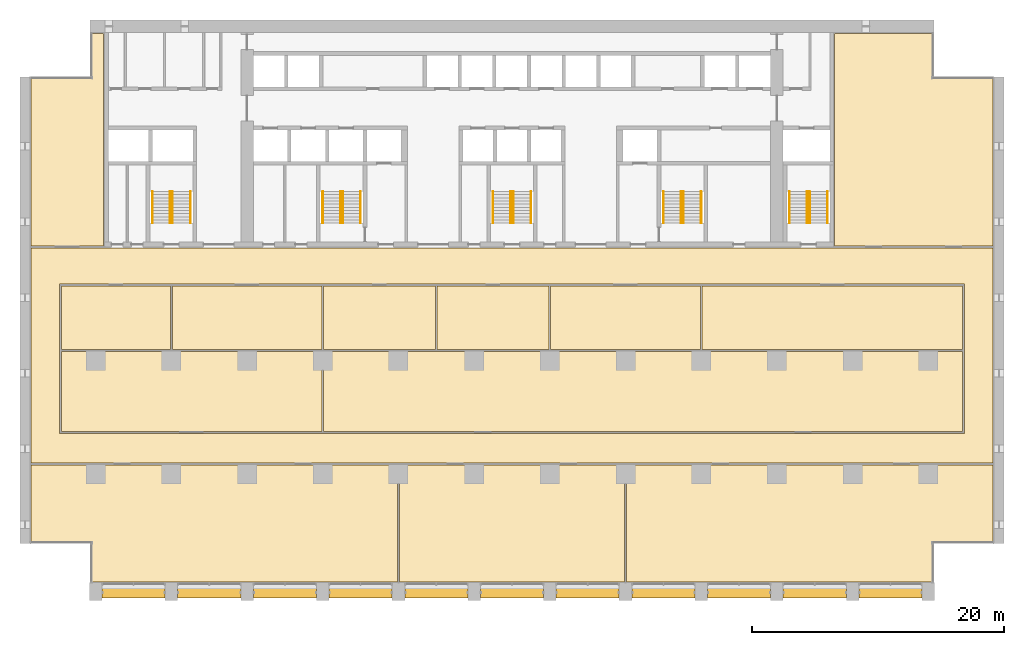
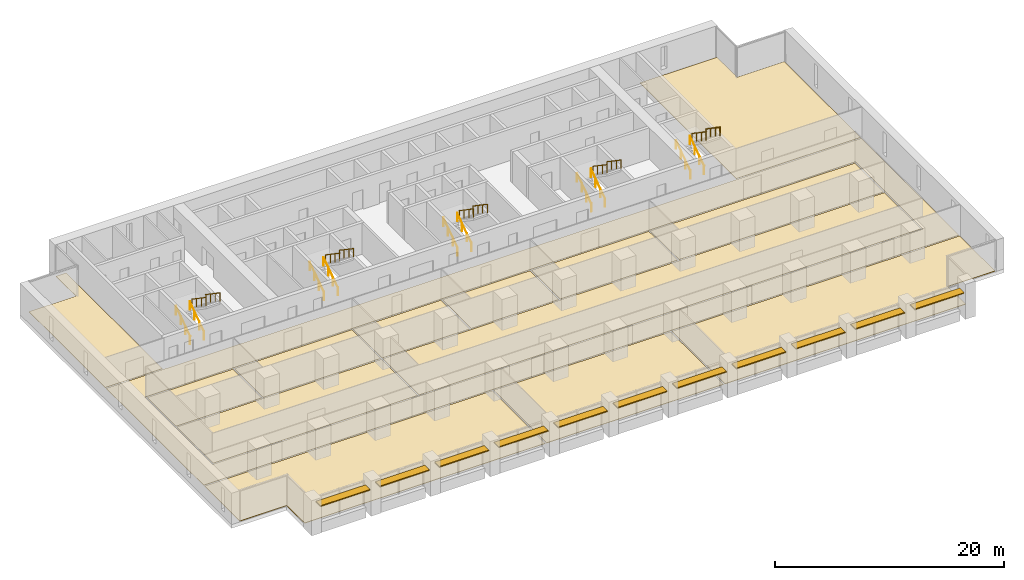
# One storey, part 17 of 17: 20 railings, 14 coverings, 11 shading devices, 5 elements without a shape of their own.
"""IFC4 building model written with IfcOpenShell, lengths in metres."""

from ifc_helpers import new_model, si_unit, direction, frame, origin, origin_2d, place, context, subcontext, project, spatial, polyline, rectangle, circle, outline, extrude, material, layer, layer_set, material_profile, profile_set, type_object, element, aggregate, save


model = new_model("IFC4")

# Units and contexts
model_context = context("Model", 3, precision=1e-05, world=origin(), true_north=direction((0.0, 1.0)))
body_context = subcontext(model_context, "Body", "Model", "MODEL_VIEW")
ifc_project = project(units=[si_unit("LENGTHUNIT", "METRE"), si_unit("AREAUNIT", "SQUARE_METRE"), si_unit("VOLUMEUNIT", "CUBIC_METRE"), si_unit("PLANEANGLEUNIT", "RADIAN"), si_unit("MASSUNIT", "GRAM", prefix="KILO")], contexts=[model_context])

# Site, building, storey
site_placement = place(None, origin())
site = spatial("IfcSite", under=ifc_project, at=site_placement, CompositionType="ELEMENT")
building_placement = place(site_placement, origin())
building = spatial("IfcBuilding", under=site, at=building_placement, Name="Calvaro Tower", CompositionType="ELEMENT")
storey_placement = place(building_placement, frame((0.0, 0.0, 71.25)))
storey = spatial("IfcBuildingStorey", under=building, at=storey_placement, Name="L17", CompositionType="ELEMENT", Elevation=71.25)

# Shading devices
ifc_material_1 = material(Name="Anodised aluminium", Category="aluminium")
ifc_material_profile = material_profile(ifc_material_1, rectangle(XDim=0.800048828125, YDim=0.10009765625, at=origin_2d()), Name="Brise-soleil blade 800 x 100")
ifc_profile_set = profile_set([ifc_material_profile], Name="Anodised aluminium")
shading_device_type = type_object("IfcShadingDeviceType", Name="Brise-soleil blade 800 x 100", PredefinedType="JALOUSIE", material=ifc_profile_set)
for number, where, z_axis, x_axis, name in (
    (1, (6.5, 0.60009765625, 2.300048828125), (1.0, 0.0, 0.0), (0.0, 1.0, 0.0), "Brise-soleil blade 1"),
    (2, (12.5, 0.60009765625, 2.300048828125), (1.0, 0.0, 0.0), (0.0, 1.0, 0.0), "Brise-soleil blade 2"),
    (3, (18.5, 0.60009765625, 2.300048828125), (1.0, 0.0, 0.0), (0.0, 1.0, 0.0), "Brise-soleil blade 3"),
    (4, (24.5, 0.60009765625, 2.300048828125), (1.0, 0.0, 0.0), (0.0, 1.0, 0.0), "Brise-soleil blade 4"),
    (5, (30.5, 0.60009765625, 2.300048828125), (1.0, 0.0, 0.0), (0.0, 1.0, 0.0), "Brise-soleil blade 5"),
    (6, (36.5, 0.60009765625, 2.300048828125), (1.0, 0.0, 0.0), (0.0, 1.0, 0.0), "Brise-soleil blade 6"),
    (7, (42.5, 0.60009765625, 2.300048828125), (1.0, 0.0, 0.0), (0.0, 1.0, 0.0), "Brise-soleil blade 7"),
    (8, (48.5, 0.60009765625, 2.300048828125), (1.0, 0.0, 0.0), (0.0, 1.0, 0.0), "Brise-soleil blade 8"),
    (9, (54.5, 0.60009765625, 2.300048828125), (1.0, 0.0, 0.0), (0.0, 1.0, 0.0), "Brise-soleil blade 9"),
    (10, (60.5, 0.60009765625, 2.300048828125), (1.0, 0.0, 0.0), (0.0, 1.0, 0.0), "Brise-soleil blade 10"),
    (11, (66.5, 0.60009765625, 2.300048828125), (1.0, 0.0, 0.0), (0.0, 1.0, 0.0), "Brise-soleil blade 11"),
):
    element("IfcShadingDevice", number, at=place(storey_placement, frame(where, z_axis=z_axis, x_axis=x_axis)), inside=storey, type_object=shading_device_type, Name=name, PredefinedType="JALOUSIE", context=body_context, shape_type="SweptSolid", body=[
        extrude(rectangle(XDim=0.800048828125, YDim=0.10009765625, at=origin_2d()), origin(), (0.0, 0.0, 1.0), 5.0),
    ])

# Coverings
ifc_material_2 = material(Name="Cement screed with carpet tile finish")
ifc_layer = layer(ifc_material_2, 0.050048828125)
ifc_layer_set = layer_set([ifc_layer], Name="Cement screed with carpet tile finish")
covering_type = type_object("IfcCoveringType", Name="Floor finish 50", PredefinedType="FLOORING", material=ifc_layer_set)
covering_1_placement = place(storey_placement, origin())
element("IfcCovering", 12, at=covering_1_placement, inside=storey, type_object=covering_type, Name="Floor finish 13.01", PredefinedType="FLOORING", context=body_context, shape_type="SweptSolid", body=[
    extrude(outline(polyline([(0.8701171875, 10.8701171875), (0.8701171875, 27.929931640625), (77.1298828125, 27.929931640625), (77.1298828125, 10.8701171875), (0.8701171875, 10.8701171875)]), holes=[polyline([(74.8701171875, 13.22998046875), (74.8701171875, 25.070068359375), (3.1298828125, 25.070068359375), (3.1298828125, 13.22998046875), (74.8701171875, 13.22998046875)])]), origin(), (0.0, 0.0, 1.0), 0.050048828125),
])
covering_2_placement = place(storey_placement, origin())
element("IfcCovering", 13, at=covering_2_placement, inside=storey, type_object=covering_type, Name="Floor finish 13.03", PredefinedType="FLOORING", context=body_context, shape_type="SweptSolid", body=[
    extrude(outline(polyline([(29.929931640625, 10.72998046875), (29.929931640625, 1.469970703125), (5.6201171875, 1.469970703125), (5.6201171875, 4.570068359375), (0.8701171875, 4.570068359375), (0.8701171875, 10.72998046875), (29.929931640625, 10.72998046875)])), origin(), (0.0, 0.0, 1.0), 0.050048828125),
])
covering_3_placement = place(storey_placement, origin())
element("IfcCovering", 14, at=covering_3_placement, inside=storey, type_object=covering_type, Name="Floor finish 13.02", PredefinedType="FLOORING", context=body_context, shape_type="SweptSolid", body=[
    extrude(outline(polyline([(30.070068359375, 10.72998046875), (47.929931640625, 10.72998046875), (47.929931640625, 1.469970703125), (30.070068359375, 1.469970703125), (30.070068359375, 10.72998046875)])), origin(), (0.0, 0.0, 1.0), 0.050048828125),
])
covering_4_placement = place(storey_placement, origin())
element("IfcCovering", 15, at=covering_4_placement, inside=storey, type_object=covering_type, Name="Floor finish 13.04", PredefinedType="FLOORING", context=body_context, shape_type="SweptSolid", body=[
    extrude(outline(polyline([(77.1298828125, 4.570068359375), (72.3798828125, 4.570068359375), (72.3798828125, 1.469970703125), (48.070068359375, 1.469970703125), (48.070068359375, 10.72998046875), (77.1298828125, 10.72998046875), (77.1298828125, 4.570068359375)])), origin(), (0.0, 0.0, 1.0), 0.050048828125),
])
covering_5_placement = place(storey_placement, origin())
element("IfcCovering", 16, at=covering_5_placement, inside=storey, type_object=covering_type, Name="Floor finish 13.05", PredefinedType="FLOORING", context=body_context, shape_type="SweptSolid", body=[
    extrude(outline(polyline([(3.27001953125, 13.3701171875), (3.27001953125, 19.72998046875), (23.929931640625, 19.72998046875), (23.929931640625, 13.3701171875), (3.27001953125, 13.3701171875)])), origin(), (0.0, 0.0, 1.0), 0.050048828125),
])
covering_6_placement = place(storey_placement, origin())
element("IfcCovering", 17, at=covering_6_placement, inside=storey, type_object=covering_type, Name="Floor finish 13.06", PredefinedType="FLOORING", context=body_context, shape_type="SweptSolid", body=[
    extrude(outline(polyline([(24.070068359375, 13.3701171875), (24.070068359375, 19.72998046875), (74.72998046875, 19.72998046875), (74.72998046875, 13.3701171875), (24.070068359375, 13.3701171875)])), origin(), (0.0, 0.0, 1.0), 0.050048828125),
])
covering_7_placement = place(storey_placement, origin())
element("IfcCovering", 18, at=covering_7_placement, inside=storey, type_object=covering_type, Name="Floor finish 13.07", PredefinedType="FLOORING", context=body_context, shape_type="SweptSolid", body=[
    extrude(outline(polyline([(3.27001953125, 19.8701171875), (3.27001953125, 24.929931640625), (11.929931640625, 24.929931640625), (11.929931640625, 19.8701171875), (3.27001953125, 19.8701171875)])), origin(), (0.0, 0.0, 1.0), 0.050048828125),
])
covering_8_placement = place(storey_placement, origin())
element("IfcCovering", 19, at=covering_8_placement, inside=storey, type_object=covering_type, Name="Floor finish 13.08", PredefinedType="FLOORING", context=body_context, shape_type="SweptSolid", body=[
    extrude(outline(polyline([(12.070068359375, 19.8701171875), (12.070068359375, 24.929931640625), (23.929931640625, 24.929931640625), (23.929931640625, 19.8701171875), (12.070068359375, 19.8701171875)])), origin(), (0.0, 0.0, 1.0), 0.050048828125),
])
covering_9_placement = place(storey_placement, origin())
element("IfcCovering", 20, at=covering_9_placement, inside=storey, type_object=covering_type, Name="Floor finish 13.09", PredefinedType="FLOORING", context=body_context, shape_type="SweptSolid", body=[
    extrude(outline(polyline([(24.070068359375, 19.8701171875), (24.070068359375, 24.929931640625), (32.929931640625, 24.929931640625), (32.929931640625, 19.8701171875), (24.070068359375, 19.8701171875)])), origin(), (0.0, 0.0, 1.0), 0.050048828125),
])
covering_10_placement = place(storey_placement, origin())
element("IfcCovering", 21, at=covering_10_placement, inside=storey, type_object=covering_type, Name="Floor finish 13.10", PredefinedType="FLOORING", context=body_context, shape_type="SweptSolid", body=[
    extrude(outline(polyline([(33.070068359375, 19.8701171875), (33.070068359375, 24.929931640625), (41.929931640625, 24.929931640625), (41.929931640625, 19.8701171875), (33.070068359375, 19.8701171875)])), origin(), (0.0, 0.0, 1.0), 0.050048828125),
])
covering_11_placement = place(storey_placement, origin())
element("IfcCovering", 22, at=covering_11_placement, inside=storey, type_object=covering_type, Name="Floor finish 13.11", PredefinedType="FLOORING", context=body_context, shape_type="SweptSolid", body=[
    extrude(outline(polyline([(42.070068359375, 19.8701171875), (42.070068359375, 24.929931640625), (53.929931640625, 24.929931640625), (53.929931640625, 19.8701171875), (42.070068359375, 19.8701171875)])), origin(), (0.0, 0.0, 1.0), 0.050048828125),
])
covering_12_placement = place(storey_placement, origin())
element("IfcCovering", 23, at=covering_12_placement, inside=storey, type_object=covering_type, Name="Floor finish 13.12", PredefinedType="FLOORING", context=body_context, shape_type="SweptSolid", body=[
    extrude(outline(polyline([(54.070068359375, 19.8701171875), (54.070068359375, 24.929931640625), (74.72998046875, 24.929931640625), (74.72998046875, 19.8701171875), (54.070068359375, 19.8701171875)])), origin(), (0.0, 0.0, 1.0), 0.050048828125),
])
covering_13_placement = place(storey_placement, origin())
element("IfcCovering", 24, at=covering_13_placement, inside=storey, type_object=covering_type, Name="Floor finish 13.13", PredefinedType="FLOORING", context=body_context, shape_type="SweptSolid", body=[
    extrude(outline(polyline([(6.6298828125, 28.070068359375), (0.8701171875, 28.070068359375), (0.8701171875, 41.429931640625), (5.6201171875, 41.429931640625), (5.6201171875, 44.929931640625), (6.6298828125, 44.929931640625), (6.6298828125, 28.070068359375)])), origin(), (0.0, 0.0, 1.0), 0.050048828125),
])
covering_14_placement = place(storey_placement, origin())
element("IfcCovering", 25, at=covering_14_placement, inside=storey, type_object=covering_type, Name="Floor finish 13.14", PredefinedType="FLOORING", context=body_context, shape_type="SweptSolid", body=[
    extrude(outline(polyline([(77.1298828125, 28.070068359375), (64.570068359375, 28.070068359375), (64.570068359375, 44.929931640625), (72.3798828125, 44.929931640625), (72.3798828125, 41.429931640625), (77.1298828125, 41.429931640625), (77.1298828125, 28.070068359375)])), origin(), (0.0, 0.0, 1.0), 0.050048828125),
])

# Stair, railings
ifc_material_3 = material(Name="Concrete C40/50", Category="concrete")
stair_type = type_object("IfcStairType", Name="Exit stair 1400 2 flights", PredefinedType="HALF_TURN_STAIR", material=ifc_material_3)
stair_1_placement = place(storey_placement, origin())
stair_1 = element("IfcStair", 26, at=stair_1_placement, inside=storey, type_object=stair_type, Name="Exit stair S1", PredefinedType="HALF_TURN_STAIR")
ifc_material_4 = material(Name="Stainless steel", Category="steel")
railing_type = type_object("IfcRailingType", Name="Stair handrail", PredefinedType="HANDRAIL", material=ifc_material_4)
railing_1_placement = place(storey_placement, frame((11.89990234375, 29.89990234375, 0.17041015625)))
railing_1 = element("IfcRailing", 27, at=railing_1_placement, type_object=railing_type, Name="Exit stair 1 handrail", PredefinedType="HANDRAIL", context=body_context, shape_type="SweptSolid", body=[
    extrude(circle(Radius=0.02392578125, at=origin_2d()), frame((0.0, 0.0, 0.8759765625), z_axis=(0.0, 0.826220514629, 0.563346839174), x_axis=(-1.0, 0.0, 0.0)), (0.0, 0.0, 1.0), 3.02587890625),
    extrude(circle(Radius=0.02099609375, at=origin_2d()), frame((0.0, 0.017333984375, 0.01171875)), (0.0, 0.0, 1.0), 0.851806640625),
    extrude(circle(Radius=0.02099609375, at=origin_2d()), frame((0.0, 0.833251953125, 0.568115234375)), (0.0, 0.0, 1.0), 0.851806640625),
    extrude(circle(Radius=0.02099609375, at=origin_2d()), frame((0.0, 1.666748046875, 1.136474609375)), (0.0, 0.0, 1.0), 0.851806640625),
    extrude(circle(Radius=0.02099609375, at=origin_2d()), frame((0.0, 2.482666015625, 1.69287109375)), (0.0, 0.0, 1.0), 0.851806640625),
])
railing_2_placement = place(storey_placement, frame((10.5, 29.89990234375, 0.17041015625)))
railing_2 = element("IfcRailing", 28, at=railing_2_placement, type_object=railing_type, Name="Exit stair 1 handrail", PredefinedType="HANDRAIL", context=body_context, shape_type="SweptSolid", body=[
    extrude(circle(Radius=0.02392578125, at=origin_2d()), frame((0.0, 0.0, 0.8759765625), z_axis=(0.0, 0.826220514629, 0.563346839174), x_axis=(-1.0, 0.0, 0.0)), (0.0, 0.0, 1.0), 3.02587890625),
    extrude(circle(Radius=0.02099609375, at=origin_2d()), frame((0.0, 0.017333984375, 0.01171875)), (0.0, 0.0, 1.0), 0.851806640625),
    extrude(circle(Radius=0.02099609375, at=origin_2d()), frame((0.0, 0.833251953125, 0.568115234375)), (0.0, 0.0, 1.0), 0.851806640625),
    extrude(circle(Radius=0.02099609375, at=origin_2d()), frame((0.0, 1.666748046875, 1.136474609375)), (0.0, 0.0, 1.0), 0.851806640625),
    extrude(circle(Radius=0.02099609375, at=origin_2d()), frame((0.0, 2.482666015625, 1.69287109375)), (0.0, 0.0, 1.0), 0.851806640625),
])
railing_3_placement = place(storey_placement, frame((12.10009765625, 32.39990234375, 2.04541015625)))
railing_3 = element("IfcRailing", 29, at=railing_3_placement, type_object=railing_type, Name="Exit stair 1 handrail", PredefinedType="HANDRAIL", context=body_context, shape_type="SweptSolid", body=[
    extrude(circle(Radius=0.02392578125, at=origin_2d()), frame((0.0, 0.0, 0.8759765625), z_axis=(0.0, -0.826220514629, 0.563346839174), x_axis=(1.0, 0.0, 0.0)), (0.0, 0.0, 1.0), 3.02587890625),
    extrude(circle(Radius=0.02099609375, at=origin_2d()), frame((0.0, -0.017333984375, 0.01171875)), (0.0, 0.0, 1.0), 0.851806640625),
    extrude(circle(Radius=0.02099609375, at=origin_2d()), frame((0.0, -0.833251953125, 0.568115234375)), (0.0, 0.0, 1.0), 0.851806640625),
    extrude(circle(Radius=0.02099609375, at=origin_2d()), frame((0.0, -1.666748046875, 1.136474609375)), (0.0, 0.0, 1.0), 0.851806640625),
    extrude(circle(Radius=0.02099609375, at=origin_2d()), frame((0.0, -2.482666015625, 1.69287109375)), (0.0, 0.0, 1.0), 0.851806640625),
])
railing_4_placement = place(storey_placement, frame((13.5, 32.39990234375, 2.04541015625)))
railing_4 = element("IfcRailing", 30, at=railing_4_placement, type_object=railing_type, Name="Exit stair 1 handrail", PredefinedType="HANDRAIL", context=body_context, shape_type="SweptSolid", body=[
    extrude(circle(Radius=0.02392578125, at=origin_2d()), frame((0.0, 0.0, 0.8759765625), z_axis=(0.0, -0.826220514629, 0.563346839174), x_axis=(1.0, 0.0, 0.0)), (0.0, 0.0, 1.0), 3.02587890625),
    extrude(circle(Radius=0.02099609375, at=origin_2d()), frame((0.0, -0.017333984375, 0.01171875)), (0.0, 0.0, 1.0), 0.851806640625),
    extrude(circle(Radius=0.02099609375, at=origin_2d()), frame((0.0, -0.833251953125, 0.568115234375)), (0.0, 0.0, 1.0), 0.851806640625),
    extrude(circle(Radius=0.02099609375, at=origin_2d()), frame((0.0, -1.666748046875, 1.136474609375)), (0.0, 0.0, 1.0), 0.851806640625),
    extrude(circle(Radius=0.02099609375, at=origin_2d()), frame((0.0, -2.482666015625, 1.69287109375)), (0.0, 0.0, 1.0), 0.851806640625),
])
aggregate(stair_1, [railing_1, railing_2, railing_3, railing_4])

stair_2_placement = place(storey_placement, origin())
stair_2 = element("IfcStair", 31, at=stair_2_placement, inside=storey, type_object=stair_type, Name="Exit stair S2", PredefinedType="HALF_TURN_STAIR")
railing_5_placement = place(storey_placement, frame((25.39990234375, 29.89990234375, 0.17041015625)))
railing_5 = element("IfcRailing", 32, at=railing_5_placement, type_object=railing_type, Name="Exit stair 2 handrail", PredefinedType="HANDRAIL", context=body_context, shape_type="SweptSolid", body=[
    extrude(circle(Radius=0.02392578125, at=origin_2d()), frame((0.0, 0.0, 0.8759765625), z_axis=(0.0, 0.826220514629, 0.563346839174), x_axis=(-1.0, 0.0, 0.0)), (0.0, 0.0, 1.0), 3.02587890625),
    extrude(circle(Radius=0.02099609375, at=origin_2d()), frame((0.0, 0.017333984375, 0.01171875)), (0.0, 0.0, 1.0), 0.851806640625),
    extrude(circle(Radius=0.02099609375, at=origin_2d()), frame((0.0, 0.833251953125, 0.568115234375)), (0.0, 0.0, 1.0), 0.851806640625),
    extrude(circle(Radius=0.02099609375, at=origin_2d()), frame((0.0, 1.666748046875, 1.136474609375)), (0.0, 0.0, 1.0), 0.851806640625),
    extrude(circle(Radius=0.02099609375, at=origin_2d()), frame((0.0, 2.482666015625, 1.69287109375)), (0.0, 0.0, 1.0), 0.851806640625),
])
railing_6_placement = place(storey_placement, frame((24.0, 29.89990234375, 0.17041015625)))
railing_6 = element("IfcRailing", 33, at=railing_6_placement, type_object=railing_type, Name="Exit stair 2 handrail", PredefinedType="HANDRAIL", context=body_context, shape_type="SweptSolid", body=[
    extrude(circle(Radius=0.02392578125, at=origin_2d()), frame((0.0, 0.0, 0.8759765625), z_axis=(0.0, 0.826220514629, 0.563346839174), x_axis=(-1.0, 0.0, 0.0)), (0.0, 0.0, 1.0), 3.02587890625),
    extrude(circle(Radius=0.02099609375, at=origin_2d()), frame((0.0, 0.017333984375, 0.01171875)), (0.0, 0.0, 1.0), 0.851806640625),
    extrude(circle(Radius=0.02099609375, at=origin_2d()), frame((0.0, 0.833251953125, 0.568115234375)), (0.0, 0.0, 1.0), 0.851806640625),
    extrude(circle(Radius=0.02099609375, at=origin_2d()), frame((0.0, 1.666748046875, 1.136474609375)), (0.0, 0.0, 1.0), 0.851806640625),
    extrude(circle(Radius=0.02099609375, at=origin_2d()), frame((0.0, 2.482666015625, 1.69287109375)), (0.0, 0.0, 1.0), 0.851806640625),
])
railing_7_placement = place(storey_placement, frame((25.60009765625, 32.39990234375, 2.04541015625)))
railing_7 = element("IfcRailing", 34, at=railing_7_placement, type_object=railing_type, Name="Exit stair 2 handrail", PredefinedType="HANDRAIL", context=body_context, shape_type="SweptSolid", body=[
    extrude(circle(Radius=0.02392578125, at=origin_2d()), frame((0.0, 0.0, 0.8759765625), z_axis=(0.0, -0.826220514629, 0.563346839174), x_axis=(1.0, 0.0, 0.0)), (0.0, 0.0, 1.0), 3.02587890625),
    extrude(circle(Radius=0.02099609375, at=origin_2d()), frame((0.0, -0.017333984375, 0.01171875)), (0.0, 0.0, 1.0), 0.851806640625),
    extrude(circle(Radius=0.02099609375, at=origin_2d()), frame((0.0, -0.833251953125, 0.568115234375)), (0.0, 0.0, 1.0), 0.851806640625),
    extrude(circle(Radius=0.02099609375, at=origin_2d()), frame((0.0, -1.666748046875, 1.136474609375)), (0.0, 0.0, 1.0), 0.851806640625),
    extrude(circle(Radius=0.02099609375, at=origin_2d()), frame((0.0, -2.482666015625, 1.69287109375)), (0.0, 0.0, 1.0), 0.851806640625),
])
railing_8_placement = place(storey_placement, frame((27.0, 32.39990234375, 2.04541015625)))
railing_8 = element("IfcRailing", 35, at=railing_8_placement, type_object=railing_type, Name="Exit stair 2 handrail", PredefinedType="HANDRAIL", context=body_context, shape_type="SweptSolid", body=[
    extrude(circle(Radius=0.02392578125, at=origin_2d()), frame((0.0, 0.0, 0.8759765625), z_axis=(0.0, -0.826220514629, 0.563346839174), x_axis=(1.0, 0.0, 0.0)), (0.0, 0.0, 1.0), 3.02587890625),
    extrude(circle(Radius=0.02099609375, at=origin_2d()), frame((0.0, -0.017333984375, 0.01171875)), (0.0, 0.0, 1.0), 0.851806640625),
    extrude(circle(Radius=0.02099609375, at=origin_2d()), frame((0.0, -0.833251953125, 0.568115234375)), (0.0, 0.0, 1.0), 0.851806640625),
    extrude(circle(Radius=0.02099609375, at=origin_2d()), frame((0.0, -1.666748046875, 1.136474609375)), (0.0, 0.0, 1.0), 0.851806640625),
    extrude(circle(Radius=0.02099609375, at=origin_2d()), frame((0.0, -2.482666015625, 1.69287109375)), (0.0, 0.0, 1.0), 0.851806640625),
])
aggregate(stair_2, [railing_5, railing_6, railing_7, railing_8])

stair_3_placement = place(storey_placement, origin())
stair_3 = element("IfcStair", 36, at=stair_3_placement, inside=storey, type_object=stair_type, Name="Exit stair S3", PredefinedType="HALF_TURN_STAIR")
railing_9_placement = place(storey_placement, frame((38.89990234375, 29.89990234375, 0.17041015625)))
railing_9 = element("IfcRailing", 37, at=railing_9_placement, type_object=railing_type, Name="Exit stair 3 handrail", PredefinedType="HANDRAIL", context=body_context, shape_type="SweptSolid", body=[
    extrude(circle(Radius=0.02392578125, at=origin_2d()), frame((0.0, 0.0, 0.8759765625), z_axis=(0.0, 0.826220514629, 0.563346839174), x_axis=(-1.0, 0.0, 0.0)), (0.0, 0.0, 1.0), 3.02587890625),
    extrude(circle(Radius=0.02099609375, at=origin_2d()), frame((0.0, 0.017333984375, 0.01171875)), (0.0, 0.0, 1.0), 0.851806640625),
    extrude(circle(Radius=0.02099609375, at=origin_2d()), frame((0.0, 0.833251953125, 0.568115234375)), (0.0, 0.0, 1.0), 0.851806640625),
    extrude(circle(Radius=0.02099609375, at=origin_2d()), frame((0.0, 1.666748046875, 1.136474609375)), (0.0, 0.0, 1.0), 0.851806640625),
    extrude(circle(Radius=0.02099609375, at=origin_2d()), frame((0.0, 2.482666015625, 1.69287109375)), (0.0, 0.0, 1.0), 0.851806640625),
])
railing_10_placement = place(storey_placement, frame((37.5, 29.89990234375, 0.17041015625)))
railing_10 = element("IfcRailing", 38, at=railing_10_placement, type_object=railing_type, Name="Exit stair 3 handrail", PredefinedType="HANDRAIL", context=body_context, shape_type="SweptSolid", body=[
    extrude(circle(Radius=0.02392578125, at=origin_2d()), frame((0.0, 0.0, 0.8759765625), z_axis=(0.0, 0.826220514629, 0.563346839174), x_axis=(-1.0, 0.0, 0.0)), (0.0, 0.0, 1.0), 3.02587890625),
    extrude(circle(Radius=0.02099609375, at=origin_2d()), frame((0.0, 0.017333984375, 0.01171875)), (0.0, 0.0, 1.0), 0.851806640625),
    extrude(circle(Radius=0.02099609375, at=origin_2d()), frame((0.0, 0.833251953125, 0.568115234375)), (0.0, 0.0, 1.0), 0.851806640625),
    extrude(circle(Radius=0.02099609375, at=origin_2d()), frame((0.0, 1.666748046875, 1.136474609375)), (0.0, 0.0, 1.0), 0.851806640625),
    extrude(circle(Radius=0.02099609375, at=origin_2d()), frame((0.0, 2.482666015625, 1.69287109375)), (0.0, 0.0, 1.0), 0.851806640625),
])
railing_11_placement = place(storey_placement, frame((39.10009765625, 32.39990234375, 2.04541015625)))
railing_11 = element("IfcRailing", 39, at=railing_11_placement, type_object=railing_type, Name="Exit stair 3 handrail", PredefinedType="HANDRAIL", context=body_context, shape_type="SweptSolid", body=[
    extrude(circle(Radius=0.02392578125, at=origin_2d()), frame((0.0, 0.0, 0.8759765625), z_axis=(0.0, -0.826220514629, 0.563346839174), x_axis=(1.0, 0.0, 0.0)), (0.0, 0.0, 1.0), 3.02587890625),
    extrude(circle(Radius=0.02099609375, at=origin_2d()), frame((0.0, -0.017333984375, 0.01171875)), (0.0, 0.0, 1.0), 0.851806640625),
    extrude(circle(Radius=0.02099609375, at=origin_2d()), frame((0.0, -0.833251953125, 0.568115234375)), (0.0, 0.0, 1.0), 0.851806640625),
    extrude(circle(Radius=0.02099609375, at=origin_2d()), frame((0.0, -1.666748046875, 1.136474609375)), (0.0, 0.0, 1.0), 0.851806640625),
    extrude(circle(Radius=0.02099609375, at=origin_2d()), frame((0.0, -2.482666015625, 1.69287109375)), (0.0, 0.0, 1.0), 0.851806640625),
])
railing_12_placement = place(storey_placement, frame((40.5, 32.39990234375, 2.04541015625)))
railing_12 = element("IfcRailing", 40, at=railing_12_placement, type_object=railing_type, Name="Exit stair 3 handrail", PredefinedType="HANDRAIL", context=body_context, shape_type="SweptSolid", body=[
    extrude(circle(Radius=0.02392578125, at=origin_2d()), frame((0.0, 0.0, 0.8759765625), z_axis=(0.0, -0.826220514629, 0.563346839174), x_axis=(1.0, 0.0, 0.0)), (0.0, 0.0, 1.0), 3.02587890625),
    extrude(circle(Radius=0.02099609375, at=origin_2d()), frame((0.0, -0.017333984375, 0.01171875)), (0.0, 0.0, 1.0), 0.851806640625),
    extrude(circle(Radius=0.02099609375, at=origin_2d()), frame((0.0, -0.833251953125, 0.568115234375)), (0.0, 0.0, 1.0), 0.851806640625),
    extrude(circle(Radius=0.02099609375, at=origin_2d()), frame((0.0, -1.666748046875, 1.136474609375)), (0.0, 0.0, 1.0), 0.851806640625),
    extrude(circle(Radius=0.02099609375, at=origin_2d()), frame((0.0, -2.482666015625, 1.69287109375)), (0.0, 0.0, 1.0), 0.851806640625),
])
aggregate(stair_3, [railing_9, railing_10, railing_11, railing_12])

stair_4_placement = place(storey_placement, origin())
stair_4 = element("IfcStair", 41, at=stair_4_placement, inside=storey, type_object=stair_type, Name="Exit stair S4", PredefinedType="HALF_TURN_STAIR")
railing_13_placement = place(storey_placement, frame((52.39990234375, 29.89990234375, 0.17041015625)))
railing_13 = element("IfcRailing", 42, at=railing_13_placement, type_object=railing_type, Name="Exit stair 4 handrail", PredefinedType="HANDRAIL", context=body_context, shape_type="SweptSolid", body=[
    extrude(circle(Radius=0.02392578125, at=origin_2d()), frame((0.0, 0.0, 0.8759765625), z_axis=(0.0, 0.826220514629, 0.563346839174), x_axis=(-1.0, 0.0, 0.0)), (0.0, 0.0, 1.0), 3.02587890625),
    extrude(circle(Radius=0.02099609375, at=origin_2d()), frame((0.0, 0.017333984375, 0.01171875)), (0.0, 0.0, 1.0), 0.851806640625),
    extrude(circle(Radius=0.02099609375, at=origin_2d()), frame((0.0, 0.833251953125, 0.568115234375)), (0.0, 0.0, 1.0), 0.851806640625),
    extrude(circle(Radius=0.02099609375, at=origin_2d()), frame((0.0, 1.666748046875, 1.136474609375)), (0.0, 0.0, 1.0), 0.851806640625),
    extrude(circle(Radius=0.02099609375, at=origin_2d()), frame((0.0, 2.482666015625, 1.69287109375)), (0.0, 0.0, 1.0), 0.851806640625),
])
railing_14_placement = place(storey_placement, frame((51.0, 29.89990234375, 0.17041015625)))
railing_14 = element("IfcRailing", 43, at=railing_14_placement, type_object=railing_type, Name="Exit stair 4 handrail", PredefinedType="HANDRAIL", context=body_context, shape_type="SweptSolid", body=[
    extrude(circle(Radius=0.02392578125, at=origin_2d()), frame((0.0, 0.0, 0.8759765625), z_axis=(0.0, 0.826220514629, 0.563346839174), x_axis=(-1.0, 0.0, 0.0)), (0.0, 0.0, 1.0), 3.02587890625),
    extrude(circle(Radius=0.02099609375, at=origin_2d()), frame((0.0, 0.017333984375, 0.01171875)), (0.0, 0.0, 1.0), 0.851806640625),
    extrude(circle(Radius=0.02099609375, at=origin_2d()), frame((0.0, 0.833251953125, 0.568115234375)), (0.0, 0.0, 1.0), 0.851806640625),
    extrude(circle(Radius=0.02099609375, at=origin_2d()), frame((0.0, 1.666748046875, 1.136474609375)), (0.0, 0.0, 1.0), 0.851806640625),
    extrude(circle(Radius=0.02099609375, at=origin_2d()), frame((0.0, 2.482666015625, 1.69287109375)), (0.0, 0.0, 1.0), 0.851806640625),
])
railing_15_placement = place(storey_placement, frame((52.60009765625, 32.39990234375, 2.04541015625)))
railing_15 = element("IfcRailing", 44, at=railing_15_placement, type_object=railing_type, Name="Exit stair 4 handrail", PredefinedType="HANDRAIL", context=body_context, shape_type="SweptSolid", body=[
    extrude(circle(Radius=0.02392578125, at=origin_2d()), frame((0.0, 0.0, 0.8759765625), z_axis=(0.0, -0.826220514629, 0.563346839174), x_axis=(1.0, 0.0, 0.0)), (0.0, 0.0, 1.0), 3.02587890625),
    extrude(circle(Radius=0.02099609375, at=origin_2d()), frame((0.0, -0.017333984375, 0.01171875)), (0.0, 0.0, 1.0), 0.851806640625),
    extrude(circle(Radius=0.02099609375, at=origin_2d()), frame((0.0, -0.833251953125, 0.568115234375)), (0.0, 0.0, 1.0), 0.851806640625),
    extrude(circle(Radius=0.02099609375, at=origin_2d()), frame((0.0, -1.666748046875, 1.136474609375)), (0.0, 0.0, 1.0), 0.851806640625),
    extrude(circle(Radius=0.02099609375, at=origin_2d()), frame((0.0, -2.482666015625, 1.69287109375)), (0.0, 0.0, 1.0), 0.851806640625),
])
railing_16_placement = place(storey_placement, frame((54.0, 32.39990234375, 2.04541015625)))
railing_16 = element("IfcRailing", 45, at=railing_16_placement, type_object=railing_type, Name="Exit stair 4 handrail", PredefinedType="HANDRAIL", context=body_context, shape_type="SweptSolid", body=[
    extrude(circle(Radius=0.02392578125, at=origin_2d()), frame((0.0, 0.0, 0.8759765625), z_axis=(0.0, -0.826220514629, 0.563346839174), x_axis=(1.0, 0.0, 0.0)), (0.0, 0.0, 1.0), 3.02587890625),
    extrude(circle(Radius=0.02099609375, at=origin_2d()), frame((0.0, -0.017333984375, 0.01171875)), (0.0, 0.0, 1.0), 0.851806640625),
    extrude(circle(Radius=0.02099609375, at=origin_2d()), frame((0.0, -0.833251953125, 0.568115234375)), (0.0, 0.0, 1.0), 0.851806640625),
    extrude(circle(Radius=0.02099609375, at=origin_2d()), frame((0.0, -1.666748046875, 1.136474609375)), (0.0, 0.0, 1.0), 0.851806640625),
    extrude(circle(Radius=0.02099609375, at=origin_2d()), frame((0.0, -2.482666015625, 1.69287109375)), (0.0, 0.0, 1.0), 0.851806640625),
])
aggregate(stair_4, [railing_13, railing_14, railing_15, railing_16])

stair_5_placement = place(storey_placement, origin())
stair_5 = element("IfcStair", 46, at=stair_5_placement, inside=storey, type_object=stair_type, Name="Exit stair S5", PredefinedType="HALF_TURN_STAIR")
railing_17_placement = place(storey_placement, frame((62.39990234375, 29.89990234375, 0.17041015625)))
railing_17 = element("IfcRailing", 47, at=railing_17_placement, type_object=railing_type, Name="Exit stair 5 handrail", PredefinedType="HANDRAIL", context=body_context, shape_type="SweptSolid", body=[
    extrude(circle(Radius=0.02392578125, at=origin_2d()), frame((0.0, 0.0, 0.8759765625), z_axis=(0.0, 0.826220514629, 0.563346839174), x_axis=(-1.0, 0.0, 0.0)), (0.0, 0.0, 1.0), 3.02587890625),
    extrude(circle(Radius=0.02099609375, at=origin_2d()), frame((0.0, 0.017333984375, 0.01171875)), (0.0, 0.0, 1.0), 0.851806640625),
    extrude(circle(Radius=0.02099609375, at=origin_2d()), frame((0.0, 0.833251953125, 0.568115234375)), (0.0, 0.0, 1.0), 0.851806640625),
    extrude(circle(Radius=0.02099609375, at=origin_2d()), frame((0.0, 1.666748046875, 1.136474609375)), (0.0, 0.0, 1.0), 0.851806640625),
    extrude(circle(Radius=0.02099609375, at=origin_2d()), frame((0.0, 2.482666015625, 1.69287109375)), (0.0, 0.0, 1.0), 0.851806640625),
])
railing_18_placement = place(storey_placement, frame((61.0, 29.89990234375, 0.17041015625)))
railing_18 = element("IfcRailing", 48, at=railing_18_placement, type_object=railing_type, Name="Exit stair 5 handrail", PredefinedType="HANDRAIL", context=body_context, shape_type="SweptSolid", body=[
    extrude(circle(Radius=0.02392578125, at=origin_2d()), frame((0.0, 0.0, 0.8759765625), z_axis=(0.0, 0.826220514629, 0.563346839174), x_axis=(-1.0, 0.0, 0.0)), (0.0, 0.0, 1.0), 3.02587890625),
    extrude(circle(Radius=0.02099609375, at=origin_2d()), frame((0.0, 0.017333984375, 0.01171875)), (0.0, 0.0, 1.0), 0.851806640625),
    extrude(circle(Radius=0.02099609375, at=origin_2d()), frame((0.0, 0.833251953125, 0.568115234375)), (0.0, 0.0, 1.0), 0.851806640625),
    extrude(circle(Radius=0.02099609375, at=origin_2d()), frame((0.0, 1.666748046875, 1.136474609375)), (0.0, 0.0, 1.0), 0.851806640625),
    extrude(circle(Radius=0.02099609375, at=origin_2d()), frame((0.0, 2.482666015625, 1.69287109375)), (0.0, 0.0, 1.0), 0.851806640625),
])
railing_19_placement = place(storey_placement, frame((62.60009765625, 32.39990234375, 2.04541015625)))
railing_19 = element("IfcRailing", 49, at=railing_19_placement, type_object=railing_type, Name="Exit stair 5 handrail", PredefinedType="HANDRAIL", context=body_context, shape_type="SweptSolid", body=[
    extrude(circle(Radius=0.02392578125, at=origin_2d()), frame((0.0, 0.0, 0.8759765625), z_axis=(0.0, -0.826220514629, 0.563346839174), x_axis=(1.0, 0.0, 0.0)), (0.0, 0.0, 1.0), 3.02587890625),
    extrude(circle(Radius=0.02099609375, at=origin_2d()), frame((0.0, -0.017333984375, 0.01171875)), (0.0, 0.0, 1.0), 0.851806640625),
    extrude(circle(Radius=0.02099609375, at=origin_2d()), frame((0.0, -0.833251953125, 0.568115234375)), (0.0, 0.0, 1.0), 0.851806640625),
    extrude(circle(Radius=0.02099609375, at=origin_2d()), frame((0.0, -1.666748046875, 1.136474609375)), (0.0, 0.0, 1.0), 0.851806640625),
    extrude(circle(Radius=0.02099609375, at=origin_2d()), frame((0.0, -2.482666015625, 1.69287109375)), (0.0, 0.0, 1.0), 0.851806640625),
])
railing_20_placement = place(storey_placement, frame((64.0, 32.39990234375, 2.04541015625)))
railing_20 = element("IfcRailing", 50, at=railing_20_placement, type_object=railing_type, Name="Exit stair 5 handrail", PredefinedType="HANDRAIL", context=body_context, shape_type="SweptSolid", body=[
    extrude(circle(Radius=0.02392578125, at=origin_2d()), frame((0.0, 0.0, 0.8759765625), z_axis=(0.0, -0.826220514629, 0.563346839174), x_axis=(1.0, 0.0, 0.0)), (0.0, 0.0, 1.0), 3.02587890625),
    extrude(circle(Radius=0.02099609375, at=origin_2d()), frame((0.0, -0.017333984375, 0.01171875)), (0.0, 0.0, 1.0), 0.851806640625),
    extrude(circle(Radius=0.02099609375, at=origin_2d()), frame((0.0, -0.833251953125, 0.568115234375)), (0.0, 0.0, 1.0), 0.851806640625),
    extrude(circle(Radius=0.02099609375, at=origin_2d()), frame((0.0, -1.666748046875, 1.136474609375)), (0.0, 0.0, 1.0), 0.851806640625),
    extrude(circle(Radius=0.02099609375, at=origin_2d()), frame((0.0, -2.482666015625, 1.69287109375)), (0.0, 0.0, 1.0), 0.851806640625),
])
aggregate(stair_5, [railing_17, railing_18, railing_19, railing_20])

save(model, "model.ifc")
